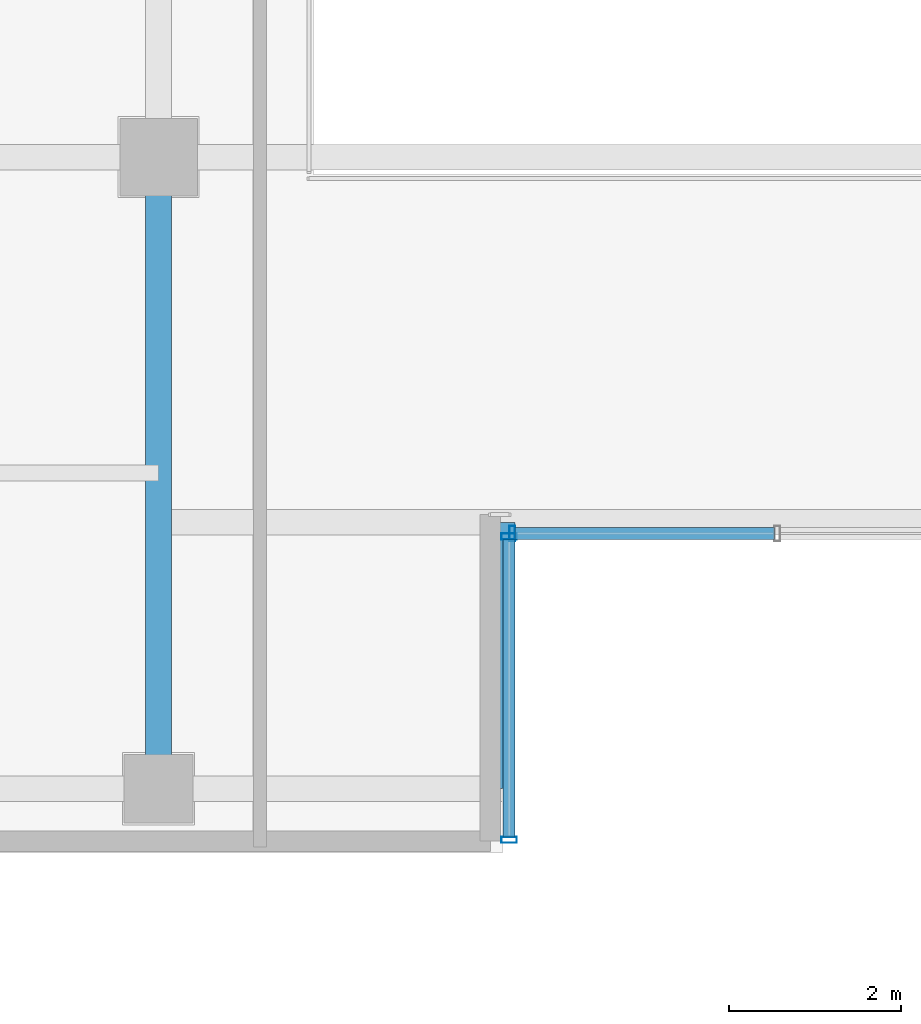
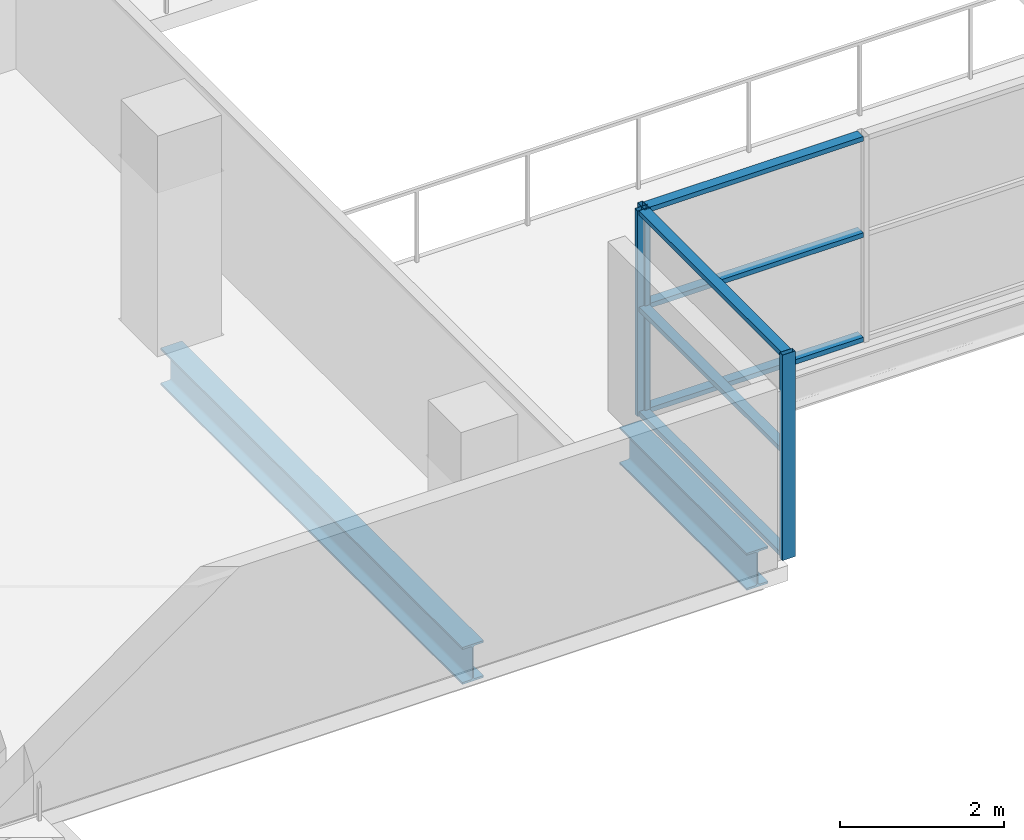
# One storey, part 3 of 28: 9 members, 2 beams, 2 elements without a shape of their own.
"""IFC4 building model written with IfcOpenShell, lengths in metres."""

from ifc_helpers import new_model, si_unit, direction, frame, origin, origin_2d, place, context, subcontext, project, spatial, hollow_rectangle, i_section, extrude, source, transform, mapped, material, layer, layer_set, material_profile, profile_set, type_object, element, aggregate, save


model = new_model("IFC4")

# Units and contexts
model_context = context("Model", 3, precision=1e-05, world=origin(), true_north=direction((0.0, 1.0)))
body_context = subcontext(model_context, "Body", "Model", "MODEL_VIEW")
ifc_project = project(units=[si_unit("LENGTHUNIT", "METRE"), si_unit("AREAUNIT", "SQUARE_METRE"), si_unit("VOLUMEUNIT", "CUBIC_METRE"), si_unit("PLANEANGLEUNIT", "RADIAN"), si_unit("MASSUNIT", "GRAM", prefix="KILO")], contexts=[model_context])

# Site, building, storey
site_placement = place(None, origin())
site = spatial("IfcSite", under=ifc_project, at=site_placement, CompositionType="ELEMENT")
building_placement = place(site_placement, origin())
building = spatial("IfcBuilding", under=site, at=building_placement, Name="Zarnakvel Exchange Tower", CompositionType="ELEMENT")
storey_placement = place(building_placement, frame((0.0, 0.0, 109.89990234375)))
storey = spatial("IfcBuildingStorey", under=building, at=storey_placement, Name="L30", CompositionType="ELEMENT", Elevation=109.89990234375)

# Beams
ifc_material_1 = material(Name="Steel S355", Category="steel")
ifc_material_profile_1 = material_profile(ifc_material_1, i_section(OverallWidth=0.300048828125, OverallDepth=0.550048828125, WebThickness=0.014892578125, FlangeThickness=0.029052734375, FilletRadius=0.027099609375, at=origin_2d()))
ifc_profile_set_1 = profile_set([ifc_material_profile_1], Name="Steel S355")
beam_type = type_object("IfcBeamType", Name="G-05", PredefinedType="BEAM", material=ifc_profile_set_1)
beam_1_placement = place(storey_placement, frame((-3.199951171875, -16.949951171875, -0.5), z_axis=(0.0, 1.0, 0.0), x_axis=(-1.0, 0.0, 0.0)))
element("IfcBeam", 1, at=beam_1_placement, inside=storey, type_object=beam_type, Name="L30 South Slot West Cheek Beam", PredefinedType="BEAM", context=body_context, shape_type="SweptSolid", body=[
    extrude(i_section(OverallWidth=0.300048828125, OverallDepth=0.550048828125, WebThickness=0.014892578125, FlangeThickness=0.029052734375, FilletRadius=0.027099609375, at=origin_2d()), origin(), (0.0, 0.0, 1.0), 3.099853515625),
])
beam_2_placement = place(storey_placement, frame((-7.199951171875, -16.949951171875, -0.5), z_axis=(0.0, 1.0, 0.0), x_axis=(-1.0, 0.0, 0.0)))
element("IfcBeam", 2, at=beam_2_placement, inside=storey, type_object=beam_type, Name="L30 Tower N-S Frame Beam", PredefinedType="BEAM", context=body_context, shape_type="SweptSolid", body=[
    extrude(i_section(OverallWidth=0.300048828125, OverallDepth=0.550048828125, WebThickness=0.014892578125, FlangeThickness=0.029052734375, FilletRadius=0.027099609375, at=origin_2d()), origin(), (0.0, 0.0, 1.0), 7.349853515625),
])

# Curtain wall, members
ifc_material_2 = material(Name="Architectural Bronze Anodised Aluminium", Category="aluminium")
ifc_layer = layer(ifc_material_2, 0.179931640625)
ifc_layer_set = layer_set([ifc_layer], Name="Architectural Bronze Anodised Aluminium")
curtain_wall_type = type_object("IfcCurtainWallType", Name="CW-05", PredefinedType="NOTDEFINED", material=ifc_layer_set)
curtain_wall_1_placement = place(storey_placement, origin())
curtain_wall_1 = element("IfcCurtainWall", 3, at=curtain_wall_1_placement, inside=storey, type_object=curtain_wall_type, Name="L30 Curtain Wall CW-L30-SLW (CW-05)", PredefinedType="NOTDEFINED")
ifc_material_profile_2 = material_profile(ifc_material_2, hollow_rectangle(XDim=0.179931640625, YDim=0.070068359375, WallThickness=0.00390625, at=origin_2d()))
ifc_profile_set_2 = profile_set([ifc_material_profile_2], Name="Architectural Bronze Anodised Aluminium")
member_type_1 = type_object("IfcMemberType", Name="CWM-05", PredefinedType="MULLION", material=ifc_profile_set_2)
shared_shape_1 = source(origin(), body_context, "Body", "SweptSolid", [
    extrude(hollow_rectangle(XDim=0.179931640625, YDim=0.070068359375, WallThickness=0.00390625, at=origin_2d()), origin(), (0.0, 0.0, 1.0), 3.05517578125),
])
member_1_placement = place(storey_placement, frame((-3.1201171875, -17.544921875, 0.0), z_axis=(0.0, 0.0, 1.0), x_axis=(-1.0, 0.0, 0.0)))
member_1 = element("IfcMember", 4, at=member_1_placement, type_object=member_type_1, Name="CW-05 mullion 1", PredefinedType="MULLION", context=body_context, shape_type="MappedRepresentation", body=[
    mapped(shared_shape_1, transform((0.0, 0.0, 0.0), x_axis=(1.0, 0.0, 0.0), y_axis=(0.0, 1.0, 0.0), z_axis=(0.0, 0.0, 1.0), scale=1.0)),
])
member_2_placement = place(storey_placement, frame((-3.1201171875, -14.014892578125, 0.0), z_axis=(0.0, 0.0, 1.0), x_axis=(-1.0, 0.0, 0.0)))
member_2 = element("IfcMember", 5, at=member_2_placement, type_object=member_type_1, Name="CW-05 mullion 2", PredefinedType="MULLION", context=body_context, shape_type="MappedRepresentation", body=[
    mapped(shared_shape_1, transform((0.0, 0.0, 0.0), x_axis=(1.0, 0.0, 0.0), y_axis=(0.0, 1.0, 0.0), z_axis=(0.0, 0.0, 1.0), scale=1.0)),
])

# Curtain wall, member
curtain_wall_2_placement = place(storey_placement, origin())
curtain_wall_2 = element("IfcCurtainWall", 6, at=curtain_wall_2_placement, inside=storey, type_object=curtain_wall_type, Name="L30 Curtain Wall CW-L30-SLB (CW-05)", PredefinedType="NOTDEFINED")
member_3_placement = place(storey_placement, frame((-3.0849609375, -13.97998046875, 0.0), z_axis=(0.0, 0.0, 1.0), x_axis=(0.0, 1.0, 0.0)))
member_3 = element("IfcMember", 7, at=member_3_placement, type_object=member_type_1, Name="CW-05 mullion 1", PredefinedType="MULLION", context=body_context, shape_type="MappedRepresentation", body=[
    mapped(shared_shape_1, transform((0.0, 0.0, 0.0), x_axis=(1.0, 0.0, 0.0), y_axis=(0.0, 1.0, 0.0), z_axis=(0.0, 0.0, 1.0), scale=1.0)),
])

# Member
ifc_material_profile_3 = material_profile(ifc_material_2, hollow_rectangle(XDim=0.139892578125, YDim=0.070068359375, WallThickness=0.00390625, at=origin_2d()))
ifc_profile_set_3 = profile_set([ifc_material_profile_3], Name="Architectural Bronze Anodised Aluminium")
member_type_2 = type_object("IfcMemberType", Name="CWT-05", PredefinedType="USERDEFINED", material=ifc_profile_set_3)
shared_shape_2 = source(origin(), body_context, "Body", "SweptSolid", [
    extrude(hollow_rectangle(XDim=0.139892578125, YDim=0.070068359375, WallThickness=0.00390625, at=origin_2d()), origin(), (0.0, 0.0, 1.0), 3.4599609375),
])
member_4_placement = place(storey_placement, frame((-3.1201171875, -17.510009765625, 0.03515625), z_axis=(0.0, 1.0, 0.0), x_axis=(-1.0, 0.0, 0.0)))
member_4 = element("IfcMember", 8, at=member_4_placement, type_object=member_type_2, Name="CW-05 transom 1.1", ObjectType="TRANSOM", PredefinedType="USERDEFINED", context=body_context, shape_type="MappedRepresentation", body=[
    mapped(shared_shape_2, transform((0.0, 0.0, 0.0), x_axis=(1.0, 0.0, 0.0), y_axis=(0.0, 1.0, 0.0), z_axis=(0.0, 0.0, 1.0), scale=1.0)),
])

member_5_placement = place(storey_placement, frame((-3.1201171875, -17.510009765625, 1.588623046875), z_axis=(0.0, 1.0, 0.0), x_axis=(-1.0, 0.0, 0.0)))
member_5 = element("IfcMember", 9, at=member_5_placement, type_object=member_type_2, Name="CW-05 transom 1.2", ObjectType="TRANSOM", PredefinedType="USERDEFINED", context=body_context, shape_type="MappedRepresentation", body=[
    mapped(shared_shape_2, transform((0.0, 0.0, 0.0), x_axis=(1.0, 0.0, 0.0), y_axis=(0.0, 1.0, 0.0), z_axis=(0.0, 0.0, 1.0), scale=1.0)),
])

member_6_placement = place(storey_placement, frame((-3.1201171875, -17.510009765625, 3.02001953125), z_axis=(0.0, 1.0, 0.0), x_axis=(-1.0, 0.0, 0.0)))
member_6 = element("IfcMember", 10, at=member_6_placement, type_object=member_type_2, Name="CW-05 transom 1.3", ObjectType="TRANSOM", PredefinedType="USERDEFINED", context=body_context, shape_type="MappedRepresentation", body=[
    mapped(shared_shape_2, transform((0.0, 0.0, 0.0), x_axis=(1.0, 0.0, 0.0), y_axis=(0.0, 1.0, 0.0), z_axis=(0.0, 0.0, 1.0), scale=1.0)),
])

aggregate(curtain_wall_1, [member_1, member_2, member_4, member_5, member_6])

shared_shape_3 = source(origin(), body_context, "Body", "SweptSolid", [
    extrude(hollow_rectangle(XDim=0.139892578125, YDim=0.070068359375, WallThickness=0.00390625, at=origin_2d()), origin(), (0.0, 0.0, 1.0), 3.01513671875),
])
member_7_placement = place(storey_placement, frame((-3.050048828125, -13.97998046875, 0.03515625), z_axis=(1.0, 0.0, 0.0), x_axis=(0.0, 1.0, 0.0)))
member_7 = element("IfcMember", 11, at=member_7_placement, type_object=member_type_2, Name="CW-05 transom 1.1", ObjectType="TRANSOM", PredefinedType="USERDEFINED", context=body_context, shape_type="MappedRepresentation", body=[
    mapped(shared_shape_3, transform((0.0, 0.0, 0.0), x_axis=(1.0, 0.0, 0.0), y_axis=(0.0, 1.0, 0.0), z_axis=(0.0, 0.0, 1.0), scale=1.0)),
])

member_8_placement = place(storey_placement, frame((-3.050048828125, -13.97998046875, 1.588623046875), z_axis=(1.0, 0.0, 0.0), x_axis=(0.0, 1.0, 0.0)))
member_8 = element("IfcMember", 12, at=member_8_placement, type_object=member_type_2, Name="CW-05 transom 1.2", ObjectType="TRANSOM", PredefinedType="USERDEFINED", context=body_context, shape_type="MappedRepresentation", body=[
    mapped(shared_shape_3, transform((0.0, 0.0, 0.0), x_axis=(1.0, 0.0, 0.0), y_axis=(0.0, 1.0, 0.0), z_axis=(0.0, 0.0, 1.0), scale=1.0)),
])

member_9_placement = place(storey_placement, frame((-3.050048828125, -13.97998046875, 3.02001953125), z_axis=(1.0, 0.0, 0.0), x_axis=(0.0, 1.0, 0.0)))
member_9 = element("IfcMember", 13, at=member_9_placement, type_object=member_type_2, Name="CW-05 transom 1.3", ObjectType="TRANSOM", PredefinedType="USERDEFINED", context=body_context, shape_type="MappedRepresentation", body=[
    mapped(shared_shape_3, transform((0.0, 0.0, 0.0), x_axis=(1.0, 0.0, 0.0), y_axis=(0.0, 1.0, 0.0), z_axis=(0.0, 0.0, 1.0), scale=1.0)),
])

aggregate(curtain_wall_2, [member_3, member_7, member_8, member_9])

save(model, "model.ifc")
